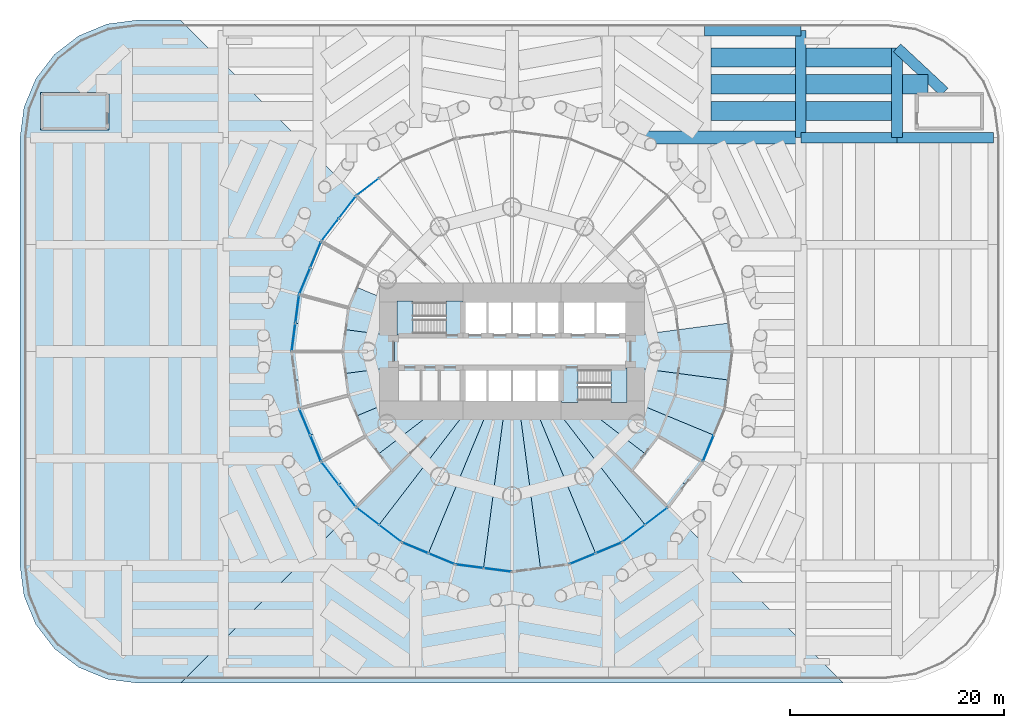
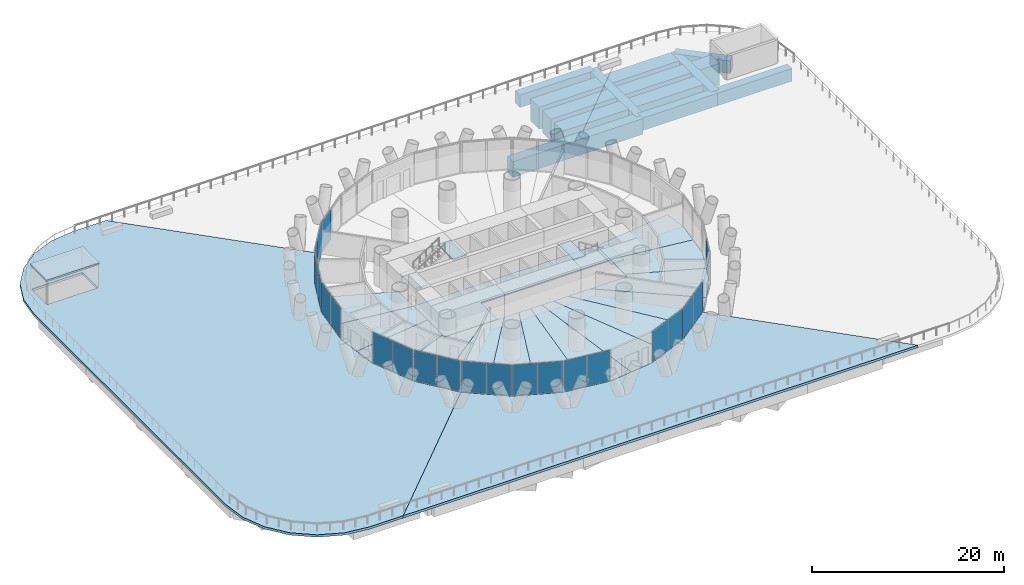
# One storey, part 11 of 19: 22 plates, 22 slabs, 14 beams, 14 elements without a shape of their own.
"""IFC4 building model written with IfcOpenShell, lengths in metres."""

import ifcopenshell
import ifcopenshell.guid

model = None  # the IFC model being written
_history = None  # IfcOwnerHistory: only IFC2X3 demands one
_inside = {}  # id of a spatial element -> (the spatial element, [elements in it])
_under = {}  # id of a project, library or spatial element -> (it, [spatial elements below it])
_declared = {}  # id of a project -> (the project, [libraries it declares])
_typed = {}  # id of a type object -> (the type object, [elements of that type])
_made_of = {}  # id of a material, layer set ... -> (it, [elements and type objects made of it])


def new_model(schema):
    """Start an empty IFC model of exactly this schema.

    Asked for "IFC4X3", IfcOpenShell would pick the latest addendum, in which some entities
    have other attributes; the version numbers below select the first issue.
    IFC2X3 requires an IfcOwnerHistory on every rooted entity: one is made here for all.
    """
    global model, _history
    if schema == "IFC4X3":
        model = ifcopenshell.file(schema_version=(4, 3, 0, 0))
    else:
        model = ifcopenshell.file(schema=schema)
    _inside.clear()
    _under.clear()
    _declared.clear()
    _typed.clear()
    _made_of.clear()
    _history = None
    if model.schema == "IFC2X3":
        org = make("IfcOrganization", Name="unknown")
        user = make(
            "IfcPersonAndOrganization",
            ThePerson=make("IfcPerson", FamilyName="unknown"),
            TheOrganization=org,
        )
        app = make(
            "IfcApplication",
            ApplicationDeveloper=org,
            Version="unknown",
            ApplicationFullName="unknown",
            ApplicationIdentifier="unknown",
        )
        _history = make(
            "IfcOwnerHistory",
            OwningUser=user,
            OwningApplication=app,
            ChangeAction="ADDED",
            CreationDate=0,
        )
    return model


def make(cls, **values):
    """One entity of the class cls with the attributes given. An attribute that is None is left unset."""
    return model.create_entity(
        cls, **{name: value for name, value in values.items() if value is not None}
    )


def rooted(cls, **values):
    """An entity with a GlobalId (a new one), such as an element, a storey or a relation."""
    return make(cls, GlobalId=ifcopenshell.guid.new(), OwnerHistory=_history, **values)


def si_unit(unit_type, name, prefix=None):
    """IfcSIUnit, for example si_unit("LENGTHUNIT", "METRE", prefix="MILLI")."""
    return make("IfcSIUnit", UnitType=unit_type, Prefix=prefix, Name=name)


def assignment(units):
    """IfcUnitAssignment: the units of a project."""
    return None if units is None else make("IfcUnitAssignment", Units=units)


def point(xyz):
    """IfcCartesianPoint."""
    return None if xyz is None else make("IfcCartesianPoint", Coordinates=xyz)


def direction(xyz):
    """IfcDirection."""
    return None if xyz is None else make("IfcDirection", DirectionRatios=xyz)


def frame(location, z_axis=None, x_axis=None):
    """IfcAxis2Placement3D, a coordinate frame: its origin and axes. An axis left out is left unset."""
    return make(
        "IfcAxis2Placement3D",
        Location=point(location),
        Axis=direction(z_axis),
        RefDirection=direction(x_axis),
    )


def frame_2d(location, x_axis=None):
    """IfcAxis2Placement2D, a coordinate frame in the plane: its origin and x axis."""
    return make(
        "IfcAxis2Placement2D", Location=point(location), RefDirection=direction(x_axis)
    )


def origin():
    """The frame at (0, 0, 0) with its axes left unset."""
    return frame((0.0, 0.0, 0.0))


def origin_2d():
    """The frame at (0, 0) in the plane with its x axis left unset."""
    return frame_2d((0.0, 0.0))


def place(relative_to, where):
    """IfcLocalPlacement: puts the frame where relative to a parent placement (None: the world)."""
    return make(
        "IfcLocalPlacement", PlacementRelTo=relative_to, RelativePlacement=where
    )


def context(
    kind, dimensions, precision=None, world=None, true_north=None, identifier=None
):
    """IfcGeometricRepresentationContext, for example the 3D "Model" context."""
    return make(
        "IfcGeometricRepresentationContext",
        ContextIdentifier=identifier,
        ContextType=kind,
        CoordinateSpaceDimension=dimensions,
        Precision=precision,
        WorldCoordinateSystem=world,
        TrueNorth=true_north,
    )


def subcontext(parent, identifier, kind, view, scale=None):
    """IfcGeometricRepresentationSubContext, for example "Body" below "Model"."""
    return make(
        "IfcGeometricRepresentationSubContext",
        ContextIdentifier=identifier,
        ContextType=kind,
        ParentContext=parent,
        TargetScale=scale,
        TargetView=view,
    )


def project(units=None, contexts=None):
    """IfcProject with its units and contexts."""
    return rooted(
        "IfcProject",
        Name="project",
        RepresentationContexts=contexts,
        UnitsInContext=assignment(units),
    )


def spatial(cls, under=None, at=None, **own):
    """A site, building, storey or space (cls), placed at a placement, below another one or the project."""
    s = rooted(cls, ObjectPlacement=at, **own)
    if under is not None:
        _under.setdefault(under.id(), (under, []))[1].append(s)
    return s


def polyline(points):
    """IfcPolyline through the points."""
    return make("IfcPolyline", Points=[point(p) for p in points])


def profile(cls, at=None, kind="AREA", **sizes):
    """A parametric profile (cls). Its sizes go by their IFC names, for example OverallWidth=200.0."""
    return make(cls, ProfileType=kind, Position=at, **sizes)


def rectangle(**sizes):
    """IfcRectangleProfileDef."""
    return profile("IfcRectangleProfileDef", **sizes)


def outline(outer, holes=None, kind="AREA"):
    """IfcArbitraryClosedProfileDef: a profile drawn as a closed curve; with holes, ...WithVoids."""
    if holes is None:
        return make("IfcArbitraryClosedProfileDef", ProfileType=kind, OuterCurve=outer)
    return make(
        "IfcArbitraryProfileDefWithVoids",
        ProfileType=kind,
        OuterCurve=outer,
        InnerCurves=holes,
    )


def extrude(swept, where, along, depth):
    """IfcExtrudedAreaSolid: the profile swept, set in the frame where, extruded along a direction by depth."""
    return make(
        "IfcExtrudedAreaSolid",
        SweptArea=swept,
        Position=where,
        ExtrudedDirection=direction(along),
        Depth=depth,
    )


def shape(context_of_items, identifier, shape_type, items):
    """IfcShapeRepresentation: the items that make up one representation, for example the "Body"."""
    return make(
        "IfcShapeRepresentation",
        ContextOfItems=context_of_items,
        RepresentationIdentifier=identifier,
        RepresentationType=shape_type,
        Items=items,
    )


def material(Name=None, Category=None):
    """IfcMaterial."""
    return make("IfcMaterial", Name=Name, Category=Category)


def layer(
    of_material, thickness, ventilated=None, Name=None, Category=None, Priority=None
):
    """IfcMaterialLayer: one layer of a wall or slab, of a material (None: an air gap)."""
    return make(
        "IfcMaterialLayer",
        Material=of_material,
        LayerThickness=thickness,
        IsVentilated=ventilated,
        Name=Name,
        Category=Category,
        Priority=Priority,
    )


def layer_set(layers, Name=None):
    """IfcMaterialLayerSet."""
    return make("IfcMaterialLayerSet", MaterialLayers=layers, LayerSetName=Name)


def material_profile(
    of_material, cross_section, Name=None, Category=None, Priority=None
):
    """IfcMaterialProfile: a cross section and its material."""
    return make(
        "IfcMaterialProfile",
        Name=Name,
        Material=of_material,
        Profile=cross_section,
        Priority=Priority,
        Category=Category,
    )


def profile_set(profiles, Name=None, composite=None):
    """IfcMaterialProfileSet."""
    return make(
        "IfcMaterialProfileSet",
        Name=Name,
        MaterialProfiles=profiles,
        CompositeProfile=composite,
    )


def made_of(thing, what):
    """Note that an element or type object is made of a material, layer set ...; save() writes the relation."""
    if what is not None:
        _made_of.setdefault(what.id(), (what, []))[1].append(thing)
    return thing


def type_object(cls, material=None, **own):
    """A type object (cls), such as IfcWallType, which elements share."""
    return made_of(rooted(cls, **own), material)


def element(
    cls,
    number,
    at=None,
    inside=None,
    cuts=None,
    type_object=None,
    material=None,
    context=None,
    identifier="Body",
    shape_type=None,
    held_by="IfcProductDefinitionShape",
    body=None,
    shapes=None,
    **own,
):
    """One element of the class cls, such as IfcWall. Its Tag is "e" and its number.

    at: its placement. inside: the storey or other place that contains it. cuts: it is an
    opening in that element (IfcRelVoidsElement). A single representation is given by context,
    identifier, shape_type and body (its items); several are given by shapes. held_by: the class
    of the entity that holds the representations. save() writes the other relations.
    """
    e = rooted(cls, Tag="e%d" % number, ObjectPlacement=at, **own)
    if body is not None:
        shapes = [shape(context, identifier, shape_type, body)]
    if shapes is not None:
        e.Representation = make(held_by, Representations=shapes)
    if inside is not None:
        _inside.setdefault(inside.id(), (inside, []))[1].append(e)
    if cuts is not None:
        rooted(
            "IfcRelVoidsElement", RelatingBuildingElement=cuts, RelatedOpeningElement=e
        )
    if type_object is not None:
        _typed.setdefault(type_object.id(), (type_object, []))[1].append(e)
    return made_of(e, material)


def aggregate(whole, parts):
    """IfcRelAggregates: a whole, such as a stair, and the parts it consists of."""
    return rooted("IfcRelAggregates", RelatingObject=whole, RelatedObjects=parts)


def save(model, path):
    """Write the relations noted so far, then the file.

    IfcRelAggregates (storeys below a building ...), IfcRelContainedInSpatialStructure (elements
    in a storey), IfcRelDefinesByType, IfcRelAssociatesMaterial and IfcRelDeclares: one each for
    every whole, place, type object, material and project.
    """
    for whole, parts in _under.values():
        aggregate(whole, parts)
    for where, things in _inside.values():
        rooted(
            "IfcRelContainedInSpatialStructure",
            RelatedElements=things,
            RelatingStructure=where,
        )
    for kind, things in _typed.values():
        rooted("IfcRelDefinesByType", RelatedObjects=things, RelatingType=kind)
    for what, things in _made_of.values():
        rooted("IfcRelAssociatesMaterial", RelatedObjects=things, RelatingMaterial=what)
    for by, libraries in _declared.values():
        rooted("IfcRelDeclares", RelatingContext=by, RelatedDefinitions=libraries)
    model.write(path)


model = new_model("IFC4")

# Units and contexts
model_context = context("Model", 3, precision=1e-05, world=origin(), true_north=direction((0.0, 1.0)))
body_context = subcontext(model_context, "Body", "Model", "MODEL_VIEW")
ifc_project = project(units=[si_unit("LENGTHUNIT", "METRE"), si_unit("AREAUNIT", "SQUARE_METRE"), si_unit("VOLUMEUNIT", "CUBIC_METRE"), si_unit("PLANEANGLEUNIT", "RADIAN"), si_unit("MASSUNIT", "GRAM", prefix="KILO")], contexts=[model_context])

# Site, building, storey
site_placement = place(None, origin())
site = spatial("IfcSite", under=ifc_project, at=site_placement, CompositionType="ELEMENT")
building_placement = place(site_placement, origin())
building = spatial("IfcBuilding", under=site, at=building_placement, Name="Qaws Media Tower", CompositionType="ELEMENT")
storey_placement = place(building_placement, frame((0.0, 0.0, 26.0)))
storey = spatial("IfcBuildingStorey", under=building, at=storey_placement, Name="L04", CompositionType="ELEMENT", Elevation=26.0)

# Beams
ifc_material_1 = material(Name="Concrete C60/75", Category="concrete")
ifc_material_profile_1 = material_profile(ifc_material_1, rectangle(XDim=1.199951171875, YDim=2.0, at=origin_2d()), Name="RC 1200x2000")
ifc_profile_set_1 = profile_set([ifc_material_profile_1], Name="Concrete C60/75")
beam_type_1 = type_object("IfcBeamType", Name="Podium long trimmer beam RC 1200x2000", PredefinedType="BEAM", material=ifc_profile_set_1)
beam_1_placement = place(storey_placement, frame((87.0, 70.0, -1.300048828125), z_axis=(-1.0, 0.0, 0.0), x_axis=(0.0, -1.0, 0.0)))
element("IfcBeam", 1, at=beam_1_placement, inside=storey, type_object=beam_type_1, Name="PB11 beam 9/F to the tower ring", PredefinedType="BEAM", context=body_context, shape_type="SweptSolid", body=[
    extrude(rectangle(XDim=1.199951171875, YDim=2.0, at=origin_2d()), origin(), (0.0, 0.0, 1.0), 15.696533203125),
])
ifc_material_2 = material(Name="Concrete C60/75", Category="concrete")
ifc_material_profile_2 = material_profile(ifc_material_2, rectangle(XDim=1.0, YDim=1.60009765625, at=origin_2d()), Name="RC 1000x1600")
ifc_profile_set_2 = profile_set([ifc_material_profile_2], Name="Concrete C60/75")
beam_type_2 = type_object("IfcBeamType", Name="Podium roof girder RC 1000x1600", PredefinedType="BEAM", material=ifc_profile_set_2)
for number, where, z_axis, x_axis, name in (
    (2, (87.0, 70.0, -1.10009765625), (1.0, 0.0, 0.0), (0.0, 1.0, 0.0), "PB10 beam 9-10/F"),
    (3, (96.0, 70.0, -1.10009765625), (1.0, 0.0, 0.0), (0.0, 1.0, 0.0), "PB10 beam 10-11/F"),
    (4, (78.0, 80.0, -1.10009765625), (1.0, 0.0, 0.0), (0.0, 1.0, 0.0), "PB10 beam 8-9/G"),
):
    element("IfcBeam", number, at=place(storey_placement, frame(where, z_axis=z_axis, x_axis=x_axis)), inside=storey, type_object=beam_type_2, Name=name, PredefinedType="BEAM", context=body_context, shape_type="SweptSolid", body=[
        extrude(rectangle(XDim=1.0, YDim=1.60009765625, at=origin_2d()), origin(), (0.0, 0.0, 1.0), 9.0),
    ])
beam_2_placement = place(storey_placement, frame((87.0, 70.0, -1.10009765625), z_axis=(0.0, 1.0, 0.0), x_axis=(-1.0, 0.0, 0.0)))
element("IfcBeam", 5, at=beam_2_placement, inside=storey, type_object=beam_type_2, Name="PB10 beam 9/F-G", PredefinedType="BEAM", context=body_context, shape_type="SweptSolid", body=[
    extrude(rectangle(XDim=1.0, YDim=1.60009765625, at=origin_2d()), origin(), (0.0, 0.0, 1.0), 10.0),
])
beam_3_placement = place(storey_placement, frame((96.0, 70.0, -1.10009765625), z_axis=(0.0, 1.0, 0.0), x_axis=(-1.0, 0.0, 0.0)))
element("IfcBeam", 6, at=beam_3_placement, inside=storey, type_object=beam_type_2, Name="PB10 beam 10/F-G", PredefinedType="BEAM", context=body_context, shape_type="SweptSolid", body=[
    extrude(rectangle(XDim=1.0, YDim=1.60009765625, at=origin_2d()), origin(), (0.0, 0.0, 1.0), 8.39990234375),
])
beam_4_placement = place(storey_placement, frame((100.4267578125, 74.268310546875, -1.10009765625), z_axis=(-0.731059290527, 0.682313940745, 0.0), x_axis=(-0.682313940745, -0.731059290527, 0.0)))
element("IfcBeam", 7, at=beam_4_placement, inside=storey, type_object=beam_type_2, Name="PB10 beam S4-10/G", PredefinedType="BEAM", context=body_context, shape_type="SweptSolid", body=[
    extrude(rectangle(XDim=1.0, YDim=1.60009765625, at=origin_2d()), origin(), (0.0, 0.0, 1.0), 6.05517578125),
])
ifc_material_3 = material(Name="Concrete C60/75", Category="concrete")
ifc_material_profile_3 = material_profile(ifc_material_3, rectangle(XDim=1.800048828125, YDim=2.800048828125, at=origin_2d()), Name="RC 1800x2800")
ifc_profile_set_3 = profile_set([ifc_material_profile_3], Name="Concrete C60/75")
beam_type_3 = type_object("IfcBeamType", Name="Podium roof secondary beam RC 1800x2800", PredefinedType="BEAM", material=ifc_profile_set_3)
for number, where, z_axis, x_axis, name in (
    (8, (78.60009765625, 72.5, -1.699951171875), (1.0, 0.0, 0.0), (0.0, 1.0, 0.0), "PB8 beam bay 8F line 1"),
    (9, (78.60009765625, 75.0, -1.699951171875), (1.0, 0.0, 0.0), (0.0, 1.0, 0.0), "PB8 beam bay 8F line 2"),
    (10, (78.60009765625, 77.5, -1.699951171875), (1.0, 0.0, 0.0), (0.0, 1.0, 0.0), "PB8 beam bay 8F line 3"),
):
    element("IfcBeam", number, at=place(storey_placement, frame(where, z_axis=z_axis, x_axis=x_axis)), inside=storey, type_object=beam_type_3, Name=name, PredefinedType="BEAM", context=body_context, shape_type="SweptSolid", body=[
        extrude(rectangle(XDim=1.800048828125, YDim=2.800048828125, at=origin_2d()), origin(), (0.0, 0.0, 1.0), 7.89990234375),
    ])
for number, where, z_axis, x_axis, name in (
    (11, (87.5, 72.5, -1.699951171875), (1.0, 0.0, 0.0), (0.0, 1.0, 0.0), "PB8 beam bay 9F line 1"),
    (12, (87.5, 75.0, -1.699951171875), (1.0, 0.0, 0.0), (0.0, 1.0, 0.0), "PB8 beam bay 9F line 2"),
    (13, (87.5, 77.5, -1.699951171875), (1.0, 0.0, 0.0), (0.0, 1.0, 0.0), "PB8 beam bay 9F line 3"),
):
    element("IfcBeam", number, at=place(storey_placement, frame(where, z_axis=z_axis, x_axis=x_axis)), inside=storey, type_object=beam_type_3, Name=name, PredefinedType="BEAM", context=body_context, shape_type="SweptSolid", body=[
        extrude(rectangle(XDim=1.800048828125, YDim=2.800048828125, at=origin_2d()), origin(), (0.0, 0.0, 1.0), 8.0),
    ])
beam_5_placement = place(storey_placement, frame((96.5, 75.0, -1.699951171875), z_axis=(1.0, 0.0, 0.0), x_axis=(0.0, 1.0, 0.0)))
element("IfcBeam", 14, at=beam_5_placement, inside=storey, type_object=beam_type_3, Name="PB8 beam bay 10F line 1", PredefinedType="BEAM", context=body_context, shape_type="SweptSolid", body=[
    extrude(rectangle(XDim=1.800048828125, YDim=2.800048828125, at=origin_2d()), origin(), (0.0, 0.0, 1.0), 2.41015625),
])

# Slabs
ifc_material_4 = material(Name="Concrete C35/45", Category="concrete")
ifc_layer_1 = layer(ifc_material_4, 0.159912109375)
ifc_layer_set_1 = layer_set([ifc_layer_1], Name="Composite floor slab 160")
slab_type_1 = type_object("IfcSlabType", Name="Composite floor slab 160", PredefinedType="FLOOR", material=ifc_layer_set_1)
slab_1_placement = place(storey_placement, frame((0.0, 0.0, -0.159912109375)))
element("IfcSlab", 15, at=slab_1_placement, inside=storey, type_object=slab_type_1, Name="S1 core floor slab L04", PredefinedType="FLOOR", context=body_context, shape_type="SweptSolid", body=[
    extrude(outline(polyline([(71.0, 51.5), (71.0, 48.5), (55.39990234375, 48.5), (55.39990234375, 45.0), (49.0, 45.0), (49.0, 51.5), (71.0, 51.5)])), origin(), (0.0, 0.0, 1.0), 0.159912109375),
])
slab_2_placement = place(storey_placement, frame((0.0, 0.0, -0.159912109375)))
element("IfcSlab", 16, at=slab_2_placement, inside=storey, type_object=slab_type_1, Name="S1 floor panel L04 on R01", PredefinedType="FLOOR", context=body_context, shape_type="SweptSolid", body=[
    extrude(outline(polyline([(80.60009765625, 50.0), (80.2490234375, 47.334228515625), (71.0, 48.5517578125), (71.0, 51.4482421875), (80.2490234375, 52.665771484375), (80.60009765625, 50.0)])), origin(), (0.0, 0.0, 1.0), 0.159912109375),
])
slab_3_placement = place(storey_placement, frame((0.0, 0.0, -0.159912109375)))
element("IfcSlab", 17, at=slab_3_placement, inside=storey, type_object=slab_type_1, Name="S1 floor panel L04 on R12", PredefinedType="FLOOR", context=body_context, shape_type="SweptSolid", body=[
    extrude(outline(polyline([(40.101806640625, 55.331787109375), (41.130859375, 57.81591796875), (49.0, 54.556396484375), (49.0, 51.4482421875), (39.7509765625, 52.665771484375), (40.101806640625, 55.331787109375)])), origin(), (0.0, 0.0, 1.0), 0.159912109375),
])
slab_4_placement = place(storey_placement, frame((0.0, 0.0, -0.159912109375)))
element("IfcSlab", 18, at=slab_4_placement, inside=storey, type_object=slab_type_1, Name="S1 floor panel L04 on R13", PredefinedType="FLOOR", context=body_context, shape_type="SweptSolid", body=[
    extrude(outline(polyline([(39.39990234375, 50.0), (39.7509765625, 52.665771484375), (49.0, 51.4482421875), (49.0, 48.5517578125), (39.7509765625, 47.334228515625), (39.39990234375, 50.0)])), origin(), (0.0, 0.0, 1.0), 0.159912109375),
])
slab_5_placement = place(storey_placement, frame((0.0, 0.0, -0.159912109375)))
element("IfcSlab", 19, at=slab_5_placement, inside=storey, type_object=slab_type_1, Name="S1 floor panel L04 on R14", PredefinedType="FLOOR", context=body_context, shape_type="SweptSolid", body=[
    extrude(outline(polyline([(40.101806640625, 44.668212890625), (39.7509765625, 47.334228515625), (49.0, 48.5517578125), (49.0, 45.443603515625), (41.130859375, 42.18408203125), (40.101806640625, 44.668212890625)])), origin(), (0.0, 0.0, 1.0), 0.159912109375),
])
slab_6_placement = place(storey_placement, frame((0.0, 0.0, -0.159912109375)))
element("IfcSlab", 20, at=slab_6_placement, inside=storey, type_object=slab_type_1, Name="S1 floor panel L04 on R15", PredefinedType="FLOOR", context=body_context, shape_type="SweptSolid", body=[
    extrude(outline(polyline([(42.159912109375, 39.699951171875), (41.130859375, 42.18408203125), (49.0, 45.443603515625), (49.0, 45.0), (53.48388671875, 45.0), (43.796630859375, 37.56689453125), (42.159912109375, 39.699951171875)])), origin(), (0.0, 0.0, 1.0), 0.159912109375),
])
slab_7_placement = place(storey_placement, frame((0.0, 0.0, -0.159912109375)))
element("IfcSlab", 21, at=slab_7_placement, inside=storey, type_object=slab_type_1, Name="S1 floor panel L04 on R16", PredefinedType="FLOOR", context=body_context, shape_type="SweptSolid", body=[
    extrude(outline(polyline([(45.43359375, 35.43359375), (43.796630859375, 37.56689453125), (53.48388671875, 45.0), (56.163330078125, 45.0), (47.56689453125, 33.796630859375), (45.43359375, 35.43359375)])), origin(), (0.0, 0.0, 1.0), 0.159912109375),
])
slab_8_placement = place(storey_placement, frame((0.0, 0.0, -0.159912109375)))
element("IfcSlab", 22, at=slab_8_placement, inside=storey, type_object=slab_type_1, Name="S1 floor panel L04 on R17", PredefinedType="FLOOR", context=body_context, shape_type="SweptSolid", body=[
    extrude(outline(polyline([(49.699951171875, 32.159912109375), (47.56689453125, 33.796630859375), (56.163330078125, 45.0), (57.928955078125, 45.0), (52.18408203125, 31.130859375), (49.699951171875, 32.159912109375)])), origin(), (0.0, 0.0, 1.0), 0.159912109375),
])
slab_9_placement = place(storey_placement, frame((0.0, 0.0, -0.159912109375)))
element("IfcSlab", 23, at=slab_9_placement, inside=storey, type_object=slab_type_1, Name="S1 floor panel L04 on R18", PredefinedType="FLOOR", context=body_context, shape_type="SweptSolid", body=[
    extrude(outline(polyline([(54.668212890625, 30.101806640625), (52.18408203125, 31.130859375), (57.928955078125, 45.0), (59.341796875, 45.0), (57.334228515625, 29.7509765625), (54.668212890625, 30.101806640625)])), origin(), (0.0, 0.0, 1.0), 0.159912109375),
])
slab_10_placement = place(storey_placement, frame((0.0, 0.0, -0.159912109375)))
element("IfcSlab", 24, at=slab_10_placement, inside=storey, type_object=slab_type_1, Name="S1 floor panel L04 on R19", PredefinedType="FLOOR", context=body_context, shape_type="SweptSolid", body=[
    extrude(outline(polyline([(60.0, 29.39990234375), (57.334228515625, 29.7509765625), (59.341796875, 45.0), (60.658203125, 45.0), (62.665771484375, 29.7509765625), (60.0, 29.39990234375)])), origin(), (0.0, 0.0, 1.0), 0.159912109375),
])
slab_11_placement = place(storey_placement, frame((0.0, 0.0, -0.159912109375)))
element("IfcSlab", 25, at=slab_11_placement, inside=storey, type_object=slab_type_1, Name="S1 floor panel L04 on R20", PredefinedType="FLOOR", context=body_context, shape_type="SweptSolid", body=[
    extrude(outline(polyline([(65.331787109375, 30.101806640625), (62.665771484375, 29.7509765625), (60.658203125, 45.0), (62.071044921875, 45.0), (67.81591796875, 31.130859375), (65.331787109375, 30.101806640625)])), origin(), (0.0, 0.0, 1.0), 0.159912109375),
])
slab_12_placement = place(storey_placement, frame((0.0, 0.0, -0.159912109375)))
element("IfcSlab", 26, at=slab_12_placement, inside=storey, type_object=slab_type_1, Name="S1 floor panel L04 on R21", PredefinedType="FLOOR", context=body_context, shape_type="SweptSolid", body=[
    extrude(outline(polyline([(70.300048828125, 32.159912109375), (67.81591796875, 31.130859375), (62.071044921875, 45.0), (63.836669921875, 45.0), (72.43310546875, 33.796630859375), (70.300048828125, 32.159912109375)])), origin(), (0.0, 0.0, 1.0), 0.159912109375),
])
slab_13_placement = place(storey_placement, frame((0.0, 0.0, -0.159912109375)))
element("IfcSlab", 27, at=slab_13_placement, inside=storey, type_object=slab_type_1, Name="S1 floor panel L04 on R22", PredefinedType="FLOOR", context=body_context, shape_type="SweptSolid", body=[
    extrude(outline(polyline([(74.56640625, 35.43359375), (72.43310546875, 33.796630859375), (63.836669921875, 45.0), (66.51611328125, 45.0), (76.203369140625, 37.56689453125), (74.56640625, 35.43359375)])), origin(), (0.0, 0.0, 1.0), 0.159912109375),
])
slab_14_placement = place(storey_placement, frame((0.0, 0.0, -0.159912109375)))
element("IfcSlab", 28, at=slab_14_placement, inside=storey, type_object=slab_type_1, Name="S1 floor panel L04 on R23", PredefinedType="FLOOR", context=body_context, shape_type="SweptSolid", body=[
    extrude(outline(polyline([(77.840087890625, 39.699951171875), (76.203369140625, 37.56689453125), (66.51611328125, 45.0), (71.0, 45.0), (71.0, 45.443603515625), (78.869140625, 42.18408203125), (77.840087890625, 39.699951171875)])), origin(), (0.0, 0.0, 1.0), 0.159912109375),
])
slab_15_placement = place(storey_placement, frame((0.0, 0.0, -0.159912109375)))
element("IfcSlab", 29, at=slab_15_placement, inside=storey, type_object=slab_type_1, Name="S1 floor panel L04 on R24", PredefinedType="FLOOR", context=body_context, shape_type="SweptSolid", body=[
    extrude(outline(polyline([(78.869140625, 42.18408203125), (71.0, 45.443603515625), (71.0, 48.5517578125), (80.2490234375, 47.334228515625), (79.898193359375, 44.668212890625), (78.869140625, 42.18408203125)])), origin(), (0.0, 0.0, 1.0), 0.159912109375),
])

# Curtain wall, plate
ifc_material_5 = material(Name="Aluminium and clear glass", Category="aluminium")
curtain_wall_type = type_object("IfcCurtainWallType", Name="Unitised curtain wall CW-A", PredefinedType="NOTDEFINED", material=ifc_material_5)
curtain_wall_1_placement = place(storey_placement, origin())
curtain_wall_1 = element("IfcCurtainWall", 30, at=curtain_wall_1_placement, inside=storey, type_object=curtain_wall_type, Name="CWA curtain wall L04-09", PredefinedType="NOTDEFINED")
ifc_material_6 = material(Name="Clear laminated double glazing", Category="glass")
ifc_layer_2 = layer(ifc_material_6, 0.031982421875)
ifc_layer_set_2 = layer_set([ifc_layer_2], Name="Curtain wall glass unit 32")
plate_type = type_object("IfcPlateType", Name="Curtain wall glass unit 32", PredefinedType="CURTAIN_PANEL", material=ifc_layer_set_2)
plate_1_placement = place(storey_placement, frame((46.51611328125, 65.39697265625, 0.080078125), z_axis=(0.0, 0.0, 1.0), x_axis=(-0.793353417662, -0.608761328178, 0.0)))
plate_1 = element("IfcPlate", 31, at=plate_1_placement, type_object=plate_type, Name="CWA panel 2.1", PredefinedType="CURTAIN_PANEL", context=body_context, shape_type="SweptSolid", body=[
    extrude(rectangle(XDim=2.56884765625, YDim=0.031982421875, at=origin_2d()), origin(), (0.0, 0.0, 1.0), 3.8798828125),
])
aggregate(curtain_wall_1, [plate_1])

# Curtain wall, plates
curtain_wall_2_placement = place(storey_placement, origin())
curtain_wall_2 = element("IfcCurtainWall", 32, at=curtain_wall_2_placement, inside=storey, type_object=curtain_wall_type, Name="CWA curtain wall L04-10", PredefinedType="NOTDEFINED")
plate_2_placement = place(storey_placement, frame((44.60302734375, 63.48388671875, 0.080078125), z_axis=(0.0, 0.0, 1.0), x_axis=(-0.608761328178, -0.793353417662, 0.0)))
plate_2 = element("IfcPlate", 33, at=plate_2_placement, type_object=plate_type, Name="CWA panel 1.1", PredefinedType="CURTAIN_PANEL", context=body_context, shape_type="SweptSolid", body=[
    extrude(rectangle(XDim=2.56884765625, YDim=0.031982421875, at=origin_2d()), origin(), (0.0, 0.0, 1.0), 3.8798828125),
])
plate_3_placement = place(storey_placement, frame((42.990478515625, 61.382568359375, 0.080078125), z_axis=(0.0, 0.0, 1.0), x_axis=(-0.608761328178, -0.793353417662, 0.0)))
plate_3 = element("IfcPlate", 34, at=plate_3_placement, type_object=plate_type, Name="CWA panel 2.1", PredefinedType="CURTAIN_PANEL", context=body_context, shape_type="SweptSolid", body=[
    extrude(rectangle(XDim=2.56884765625, YDim=0.031982421875, at=origin_2d()), origin(), (0.0, 0.0, 1.0), 3.8798828125),
])
aggregate(curtain_wall_2, [plate_2, plate_3])

curtain_wall_3_placement = place(storey_placement, origin())
curtain_wall_3 = element("IfcCurtainWall", 35, at=curtain_wall_3_placement, inside=storey, type_object=curtain_wall_type, Name="CWA curtain wall L04-11", PredefinedType="NOTDEFINED")
plate_4_placement = place(storey_placement, frame((41.6376953125, 59.03955078125, 0.080078125), z_axis=(0.0, 0.0, 1.0), x_axis=(-0.382683457778, -0.923879521985, 0.0)))
plate_4 = element("IfcPlate", 36, at=plate_4_placement, type_object=plate_type, Name="CWA panel 1.1", PredefinedType="CURTAIN_PANEL", context=body_context, shape_type="SweptSolid", body=[
    extrude(rectangle(XDim=2.56884765625, YDim=0.031982421875, at=origin_2d()), origin(), (0.0, 0.0, 1.0), 3.8798828125),
])
plate_5_placement = place(storey_placement, frame((40.6240234375, 56.59228515625, 0.080078125), z_axis=(0.0, 0.0, 1.0), x_axis=(-0.382683457778, -0.923879521985, 0.0)))
plate_5 = element("IfcPlate", 37, at=plate_5_placement, type_object=plate_type, Name="CWA panel 2.1", PredefinedType="CURTAIN_PANEL", context=body_context, shape_type="SweptSolid", body=[
    extrude(rectangle(XDim=2.56884765625, YDim=0.031982421875, at=origin_2d()), origin(), (0.0, 0.0, 1.0), 3.8798828125),
])
aggregate(curtain_wall_3, [plate_4, plate_5])

curtain_wall_4_placement = place(storey_placement, origin())
curtain_wall_4 = element("IfcCurtainWall", 38, at=curtain_wall_4_placement, inside=storey, type_object=curtain_wall_type, Name="CWA curtain wall L04-12", PredefinedType="NOTDEFINED")
plate_6_placement = place(storey_placement, frame((39.923828125, 53.97900390625, 0.080078125), z_axis=(0.0, 0.0, 1.0), x_axis=(-0.130526204073, -0.991444859813, 0.0)))
plate_6 = element("IfcPlate", 39, at=plate_6_placement, type_object=plate_type, Name="CWA panel 1.1", PredefinedType="CURTAIN_PANEL", context=body_context, shape_type="SweptSolid", body=[
    extrude(rectangle(XDim=2.56884765625, YDim=0.031982421875, at=origin_2d()), origin(), (0.0, 0.0, 1.0), 3.8798828125),
])
plate_7_placement = place(storey_placement, frame((39.578125, 51.352783203125, 0.080078125), z_axis=(0.0, 0.0, 1.0), x_axis=(-0.130526204073, -0.991444859813, 0.0)))
plate_7 = element("IfcPlate", 40, at=plate_7_placement, type_object=plate_type, Name="CWA panel 2.1", PredefinedType="CURTAIN_PANEL", context=body_context, shape_type="SweptSolid", body=[
    extrude(rectangle(XDim=2.56884765625, YDim=0.031982421875, at=origin_2d()), origin(), (0.0, 0.0, 1.0), 3.8798828125),
])
aggregate(curtain_wall_4, [plate_6, plate_7])

curtain_wall_5_placement = place(storey_placement, origin())
curtain_wall_5 = element("IfcCurtainWall", 41, at=curtain_wall_5_placement, inside=storey, type_object=curtain_wall_type, Name="CWA curtain wall L04-14", PredefinedType="NOTDEFINED")
plate_8_placement = place(storey_placement, frame((40.6240234375, 43.40771484375, 0.080078125), z_axis=(0.0, 0.0, 1.0), x_axis=(0.382683457778, -0.923879521985, 0.0)))
plate_8 = element("IfcPlate", 42, at=plate_8_placement, type_object=plate_type, Name="CWA panel 1.1", PredefinedType="CURTAIN_PANEL", context=body_context, shape_type="SweptSolid", body=[
    extrude(rectangle(XDim=2.56884765625, YDim=0.031982421875, at=origin_2d()), origin(), (0.0, 0.0, 1.0), 3.8798828125),
])
plate_9_placement = place(storey_placement, frame((41.6376953125, 40.96044921875, 0.080078125), z_axis=(0.0, 0.0, 1.0), x_axis=(0.382683457778, -0.923879521985, 0.0)))
plate_9 = element("IfcPlate", 43, at=plate_9_placement, type_object=plate_type, Name="CWA panel 2.1", PredefinedType="CURTAIN_PANEL", context=body_context, shape_type="SweptSolid", body=[
    extrude(rectangle(XDim=2.56884765625, YDim=0.031982421875, at=origin_2d()), origin(), (0.0, 0.0, 1.0), 3.8798828125),
])
aggregate(curtain_wall_5, [plate_8, plate_9])

curtain_wall_6_placement = place(storey_placement, origin())
curtain_wall_6 = element("IfcCurtainWall", 44, at=curtain_wall_6_placement, inside=storey, type_object=curtain_wall_type, Name="CWA curtain wall L04-15", PredefinedType="NOTDEFINED")
plate_10_placement = place(storey_placement, frame((42.990478515625, 38.617431640625, 0.080078125), z_axis=(0.0, 0.0, 1.0), x_axis=(0.608761328178, -0.793353417662, 0.0)))
plate_10 = element("IfcPlate", 45, at=plate_10_placement, type_object=plate_type, Name="CWA panel 1.1", PredefinedType="CURTAIN_PANEL", context=body_context, shape_type="SweptSolid", body=[
    extrude(rectangle(XDim=2.56884765625, YDim=0.031982421875, at=origin_2d()), origin(), (0.0, 0.0, 1.0), 3.8798828125),
])
plate_11_placement = place(storey_placement, frame((44.60302734375, 36.51611328125, 0.080078125), z_axis=(0.0, 0.0, 1.0), x_axis=(0.608761328178, -0.793353417662, 0.0)))
plate_11 = element("IfcPlate", 46, at=plate_11_placement, type_object=plate_type, Name="CWA panel 2.1", PredefinedType="CURTAIN_PANEL", context=body_context, shape_type="SweptSolid", body=[
    extrude(rectangle(XDim=2.56884765625, YDim=0.031982421875, at=origin_2d()), origin(), (0.0, 0.0, 1.0), 3.8798828125),
])
aggregate(curtain_wall_6, [plate_10, plate_11])

curtain_wall_7_placement = place(storey_placement, origin())
curtain_wall_7 = element("IfcCurtainWall", 47, at=curtain_wall_7_placement, inside=storey, type_object=curtain_wall_type, Name="CWA curtain wall L04-16", PredefinedType="NOTDEFINED")
plate_12_placement = place(storey_placement, frame((46.51611328125, 34.60302734375, 0.080078125), z_axis=(0.0, 0.0, 1.0), x_axis=(0.793353417662, -0.608761328178, 0.0)))
plate_12 = element("IfcPlate", 48, at=plate_12_placement, type_object=plate_type, Name="CWA panel 1.1", PredefinedType="CURTAIN_PANEL", context=body_context, shape_type="SweptSolid", body=[
    extrude(rectangle(XDim=2.56884765625, YDim=0.031982421875, at=origin_2d()), origin(), (0.0, 0.0, 1.0), 3.8798828125),
])
plate_13_placement = place(storey_placement, frame((48.617431640625, 32.990478515625, 0.080078125), z_axis=(0.0, 0.0, 1.0), x_axis=(0.793353417662, -0.608761328178, 0.0)))
plate_13 = element("IfcPlate", 49, at=plate_13_placement, type_object=plate_type, Name="CWA panel 2.1", PredefinedType="CURTAIN_PANEL", context=body_context, shape_type="SweptSolid", body=[
    extrude(rectangle(XDim=2.56884765625, YDim=0.031982421875, at=origin_2d()), origin(), (0.0, 0.0, 1.0), 3.8798828125),
])
aggregate(curtain_wall_7, [plate_12, plate_13])

curtain_wall_8_placement = place(storey_placement, origin())
curtain_wall_8 = element("IfcCurtainWall", 50, at=curtain_wall_8_placement, inside=storey, type_object=curtain_wall_type, Name="CWA curtain wall L04-17", PredefinedType="NOTDEFINED")
plate_14_placement = place(storey_placement, frame((50.96044921875, 31.6376953125, 0.080078125), z_axis=(0.0, 0.0, 1.0), x_axis=(0.923879521985, -0.382683457778, 0.0)))
plate_14 = element("IfcPlate", 51, at=plate_14_placement, type_object=plate_type, Name="CWA panel 1.1", PredefinedType="CURTAIN_PANEL", context=body_context, shape_type="SweptSolid", body=[
    extrude(rectangle(XDim=2.56884765625, YDim=0.031982421875, at=origin_2d()), origin(), (0.0, 0.0, 1.0), 3.8798828125),
])
plate_15_placement = place(storey_placement, frame((53.40771484375, 30.6240234375, 0.080078125), z_axis=(0.0, 0.0, 1.0), x_axis=(0.923879521985, -0.382683457778, 0.0)))
plate_15 = element("IfcPlate", 52, at=plate_15_placement, type_object=plate_type, Name="CWA panel 2.1", PredefinedType="CURTAIN_PANEL", context=body_context, shape_type="SweptSolid", body=[
    extrude(rectangle(XDim=2.56884765625, YDim=0.031982421875, at=origin_2d()), origin(), (0.0, 0.0, 1.0), 3.8798828125),
])
aggregate(curtain_wall_8, [plate_14, plate_15])

curtain_wall_9_placement = place(storey_placement, origin())
curtain_wall_9 = element("IfcCurtainWall", 53, at=curtain_wall_9_placement, inside=storey, type_object=curtain_wall_type, Name="CWA curtain wall L04-18", PredefinedType="NOTDEFINED")
plate_16_placement = place(storey_placement, frame((56.02099609375, 29.923828125, 0.080078125), z_axis=(0.0, 0.0, 1.0), x_axis=(0.991444859813, -0.130526204073, 0.0)))
plate_16 = element("IfcPlate", 54, at=plate_16_placement, type_object=plate_type, Name="CWA panel 1.1", PredefinedType="CURTAIN_PANEL", context=body_context, shape_type="SweptSolid", body=[
    extrude(rectangle(XDim=2.56884765625, YDim=0.031982421875, at=origin_2d()), origin(), (0.0, 0.0, 1.0), 3.8798828125),
])
plate_17_placement = place(storey_placement, frame((58.647216796875, 29.578125, 0.080078125), z_axis=(0.0, 0.0, 1.0), x_axis=(0.991444859813, -0.130526204073, 0.0)))
plate_17 = element("IfcPlate", 55, at=plate_17_placement, type_object=plate_type, Name="CWA panel 2.1", PredefinedType="CURTAIN_PANEL", context=body_context, shape_type="SweptSolid", body=[
    extrude(rectangle(XDim=2.56884765625, YDim=0.031982421875, at=origin_2d()), origin(), (0.0, 0.0, 1.0), 3.8798828125),
])
aggregate(curtain_wall_9, [plate_16, plate_17])

curtain_wall_10_placement = place(storey_placement, origin())
curtain_wall_10 = element("IfcCurtainWall", 56, at=curtain_wall_10_placement, inside=storey, type_object=curtain_wall_type, Name="CWA curtain wall L04-20", PredefinedType="NOTDEFINED")
plate_18_placement = place(storey_placement, frame((66.59228515625, 30.6240234375, 0.080078125), z_axis=(0.0, 0.0, 1.0), x_axis=(0.923879521985, 0.382683457778, 0.0)))
plate_18 = element("IfcPlate", 57, at=plate_18_placement, type_object=plate_type, Name="CWA panel 1.1", PredefinedType="CURTAIN_PANEL", context=body_context, shape_type="SweptSolid", body=[
    extrude(rectangle(XDim=2.56884765625, YDim=0.031982421875, at=origin_2d()), origin(), (0.0, 0.0, 1.0), 3.8798828125),
])
plate_19_placement = place(storey_placement, frame((69.03955078125, 31.6376953125, 0.080078125), z_axis=(0.0, 0.0, 1.0), x_axis=(0.923879521985, 0.382683457778, 0.0)))
plate_19 = element("IfcPlate", 58, at=plate_19_placement, type_object=plate_type, Name="CWA panel 2.1", PredefinedType="CURTAIN_PANEL", context=body_context, shape_type="SweptSolid", body=[
    extrude(rectangle(XDim=2.56884765625, YDim=0.031982421875, at=origin_2d()), origin(), (0.0, 0.0, 1.0), 3.8798828125),
])
aggregate(curtain_wall_10, [plate_18, plate_19])

curtain_wall_11_placement = place(storey_placement, origin())
curtain_wall_11 = element("IfcCurtainWall", 59, at=curtain_wall_11_placement, inside=storey, type_object=curtain_wall_type, Name="CWA curtain wall L04-21", PredefinedType="NOTDEFINED")
plate_20_placement = place(storey_placement, frame((71.382568359375, 32.990478515625, 0.080078125), z_axis=(0.0, 0.0, 1.0), x_axis=(0.793353417662, 0.608761328178, 0.0)))
plate_20 = element("IfcPlate", 60, at=plate_20_placement, type_object=plate_type, Name="CWA panel 1.1", PredefinedType="CURTAIN_PANEL", context=body_context, shape_type="SweptSolid", body=[
    extrude(rectangle(XDim=2.56884765625, YDim=0.031982421875, at=origin_2d()), origin(), (0.0, 0.0, 1.0), 3.8798828125),
])
plate_21_placement = place(storey_placement, frame((73.48388671875, 34.60302734375, 0.080078125), z_axis=(0.0, 0.0, 1.0), x_axis=(0.793353417662, 0.608761328178, 0.0)))
plate_21 = element("IfcPlate", 61, at=plate_21_placement, type_object=plate_type, Name="CWA panel 2.1", PredefinedType="CURTAIN_PANEL", context=body_context, shape_type="SweptSolid", body=[
    extrude(rectangle(XDim=2.56884765625, YDim=0.031982421875, at=origin_2d()), origin(), (0.0, 0.0, 1.0), 3.8798828125),
])
aggregate(curtain_wall_11, [plate_20, plate_21])

# Curtain wall, plate
curtain_wall_12_placement = place(storey_placement, origin())
curtain_wall_12 = element("IfcCurtainWall", 62, at=curtain_wall_12_placement, inside=storey, type_object=curtain_wall_type, Name="CWA curtain wall L04-23", PredefinedType="NOTDEFINED")
plate_22_placement = place(storey_placement, frame((78.3623046875, 40.96044921875, 0.080078125), z_axis=(0.0, 0.0, 1.0), x_axis=(0.382683457778, 0.923879521985, 0.0)))
plate_22 = element("IfcPlate", 63, at=plate_22_placement, type_object=plate_type, Name="CWA panel 1.1", PredefinedType="CURTAIN_PANEL", context=body_context, shape_type="SweptSolid", body=[
    extrude(rectangle(XDim=2.56884765625, YDim=0.031982421875, at=origin_2d()), origin(), (0.0, 0.0, 1.0), 3.8798828125),
])
aggregate(curtain_wall_12, [plate_22])

# Slabs
ifc_material_7 = material(Name="Concrete C40/50", Category="concrete")
ifc_layer_3 = layer(ifc_material_7, 0.199951171875)
ifc_layer_set_3 = layer_set([ifc_layer_3], Name="Head-house roof slab 200")
slab_type_2 = type_object("IfcSlabType", Name="Head-house roof slab 200", PredefinedType="ROOF", material=ifc_layer_set_3)
slab_16_placement = place(storey_placement, frame((0.0, 0.0, 3.0)))
element("IfcSlab", 64, at=slab_16_placement, inside=storey, type_object=slab_type_2, Name="S8 stair S3 head-house roof", PredefinedType="ROOF", context=body_context, shape_type="SweptSolid", body=[
    extrude(outline(polyline([(15.89990234375, 70.699951171875), (22.300048828125, 70.699951171875), (22.300048828125, 74.199951171875), (15.89990234375, 74.199951171875), (15.89990234375, 70.699951171875)])), origin(), (0.0, 0.0, 1.0), 0.199951171875),
])
ifc_material_8 = material(Name="Concrete C40/50", Category="concrete")
ifc_layer_4 = layer(ifc_material_8, 0.300048828125)
ifc_layer_set_4 = layer_set([ifc_layer_4], Name="Podium roof slab 300")
slab_type_3 = type_object("IfcSlabType", Name="Podium roof slab 300", PredefinedType="ROOF", material=ifc_layer_set_4)
slab_17_placement = place(storey_placement, frame((0.0, 0.0, -0.300048828125)))
element("IfcSlab", 65, at=slab_17_placement, inside=storey, type_object=slab_type_3, Name="S4 roof garden slab L04 R10 to R16, movement joints on R10 and R16", PredefinedType="ROOF", context=body_context, shape_type="SweptSolid", body=[
    extrude(outline(polyline([(22.153076171875, 19.374755859375), (19.5, 20.4736328125), (17.2216796875, 22.2216796875), (15.4736328125, 24.5), (14.374755859375, 27.153076171875), (14.0, 30.0), (14.0, 70.0), (14.374755859375, 72.846923828125), (15.4736328125, 75.5), (17.2216796875, 77.7783203125), (19.5, 79.5263671875), (22.153076171875, 80.625244140625), (25.0, 81.0), (29.0, 81.0), (45.43359375, 64.56640625), (42.159912109375, 60.300048828125), (40.101806640625, 55.331787109375), (39.39990234375, 50.0), (40.101806640625, 44.668212890625), (42.159912109375, 39.699951171875), (45.43359375, 35.43359375), (43.736572265625, 33.736572265625), (29.0, 19.0), (25.0, 19.0), (22.153076171875, 19.374755859375)]), holes=[polyline([(22.14990234375, 74.050048828125), (16.050048828125, 74.050048828125), (16.050048828125, 70.85009765625), (22.14990234375, 70.85009765625), (22.14990234375, 74.050048828125)])]), origin(), (0.0, 0.0, 1.0), 0.300048828125),
])
slab_18_placement = place(storey_placement, frame((0.0, 0.0, -0.300048828125)))
element("IfcSlab", 66, at=slab_18_placement, inside=storey, type_object=slab_type_3, Name="S4 roof garden slab L04 R16 to R22, movement joints on R16 and R22", PredefinedType="ROOF", context=body_context, shape_type="SweptSolid", body=[
    extrude(outline(polyline([(91.0, 19.0), (78.0, 19.0), (29.0, 19.0), (45.43359375, 35.43359375), (49.699951171875, 32.159912109375), (54.668212890625, 30.101806640625), (60.0, 29.39990234375), (65.331787109375, 30.101806640625), (70.300048828125, 32.159912109375), (74.56640625, 35.43359375), (91.0, 19.0)])), origin(), (0.0, 0.0, 1.0), 0.300048828125),
])

# Stair, slabs
ifc_material_9 = material(Name="Concrete C40/50", Category="concrete")
stair_type = type_object("IfcStairType", Name="Exit stair", PredefinedType="HALF_TURN_STAIR", material=ifc_material_9)
stair_1_placement = place(storey_placement, origin())
stair_1 = element("IfcStair", 67, at=stair_1_placement, inside=storey, type_object=stair_type, Name="S1 exit stair L04", PredefinedType="HALF_TURN_STAIR")
ifc_material_10 = material(Name="Concrete C40/50", Category="concrete")
ifc_layer_5 = layer(ifc_material_10, 0.199951171875)
ifc_layer_set_5 = layer_set([ifc_layer_5], Name="Stair landing 200")
slab_type_4 = type_object("IfcSlabType", Name="Stair landing 200", PredefinedType="LANDING", material=ifc_layer_set_5)
slab_19_placement = place(storey_placement, frame((0.0, 0.0, 1.89990234375)))
slab_19 = element("IfcSlab", 68, at=slab_19_placement, type_object=slab_type_4, Name="S1 landing 1", PredefinedType="LANDING", context=body_context, shape_type="SweptSolid", body=[
    extrude(outline(polyline([(49.25, 51.550048828125), (50.760009765625, 51.550048828125), (50.760009765625, 54.75), (49.25, 54.75), (49.25, 51.550048828125)])), origin(), (0.0, 0.0, 1.0), 0.2001953125),
])
slab_20_placement = place(storey_placement, frame((0.0, 0.0, 4.0)))
slab_20 = element("IfcSlab", 69, at=slab_20_placement, type_object=slab_type_4, Name="S1 landing 2", PredefinedType="LANDING", context=body_context, shape_type="SweptSolid", body=[
    extrude(outline(polyline([(53.840087890625, 51.550048828125), (55.35009765625, 51.550048828125), (55.35009765625, 54.75), (53.840087890625, 54.75), (53.840087890625, 51.550048828125)])), origin(), (0.0, 0.0, 1.0), 0.199951171875),
])
aggregate(stair_1, [slab_19, slab_20])

stair_2_placement = place(storey_placement, origin())
stair_2 = element("IfcStair", 70, at=stair_2_placement, inside=storey, type_object=stair_type, Name="S2 exit stair L04", PredefinedType="HALF_TURN_STAIR")
slab_21_placement = place(storey_placement, frame((0.0, 0.0, 1.89990234375)))
slab_21 = element("IfcSlab", 71, at=slab_21_placement, type_object=slab_type_4, Name="S2 landing 1", PredefinedType="LANDING", context=body_context, shape_type="SweptSolid", body=[
    extrude(outline(polyline([(69.239990234375, 45.25), (70.75, 45.25), (70.75, 48.449951171875), (69.239990234375, 48.449951171875), (69.239990234375, 45.25)])), origin(), (0.0, 0.0, 1.0), 0.2001953125),
])
slab_22_placement = place(storey_placement, frame((0.0, 0.0, 4.0)))
slab_22 = element("IfcSlab", 72, at=slab_22_placement, type_object=slab_type_4, Name="S2 landing 2", PredefinedType="LANDING", context=body_context, shape_type="SweptSolid", body=[
    extrude(outline(polyline([(64.64990234375, 45.25), (66.159912109375, 45.25), (66.159912109375, 48.449951171875), (64.64990234375, 48.449951171875), (64.64990234375, 45.25)])), origin(), (0.0, 0.0, 1.0), 0.199951171875),
])
aggregate(stair_2, [slab_21, slab_22])

save(model, "model.ifc")
